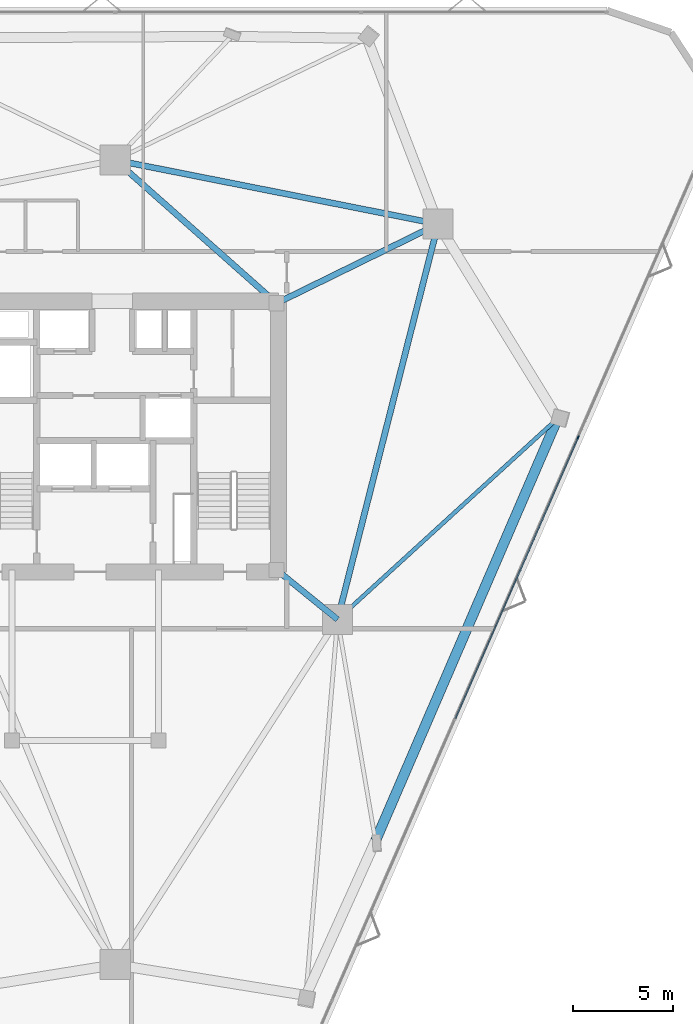
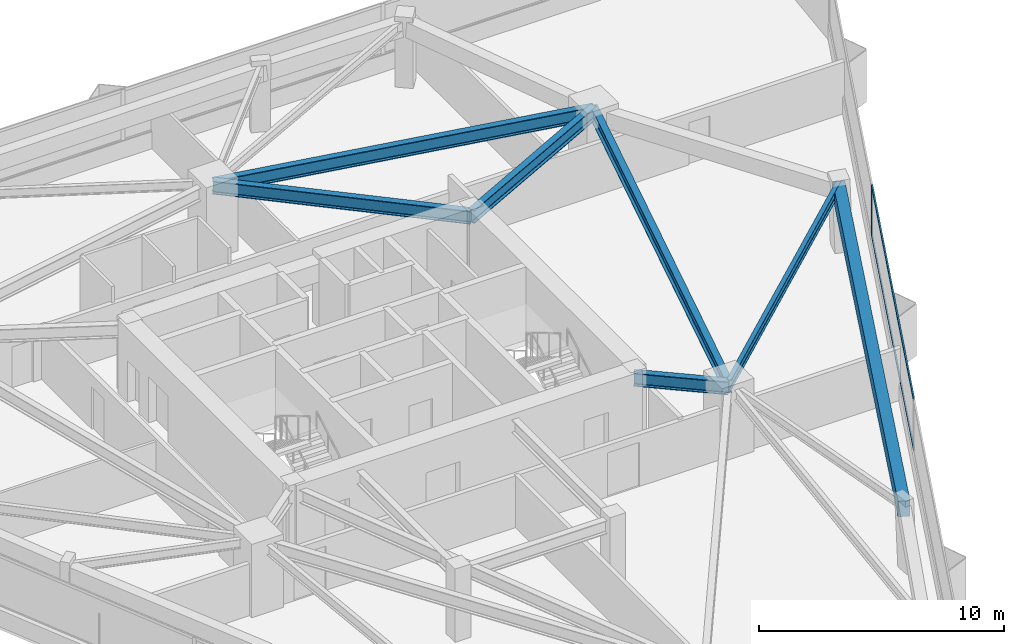
# One storey, part 6 of 14: 7 beams, 3 members, 1 element without a shape of its own.
"""IFC4 building model written with IfcOpenShell, lengths in metres."""

from ifc_helpers import new_model, si_unit, direction, frame, origin, origin_2d, place, context, subcontext, project, spatial, rectangle, i_section, extrude, material, layer, layer_set, material_profile, profile_set, type_object, element, aggregate, save


model = new_model("IFC4")

# Units and contexts
model_context = context("Model", 3, precision=1e-05, world=origin(), true_north=direction((0.0, 1.0)))
body_context = subcontext(model_context, "Body", "Model", "MODEL_VIEW")
ifc_project = project(units=[si_unit("LENGTHUNIT", "METRE"), si_unit("AREAUNIT", "SQUARE_METRE"), si_unit("VOLUMEUNIT", "CUBIC_METRE"), si_unit("PLANEANGLEUNIT", "RADIAN"), si_unit("MASSUNIT", "GRAM", prefix="KILO")], contexts=[model_context])

# Site, building, storey
site_placement = place(None, origin())
site = spatial("IfcSite", under=ifc_project, at=site_placement, CompositionType="ELEMENT")
building_placement = place(site_placement, origin())
building = spatial("IfcBuilding", under=site, at=building_placement, Name="Talyreon Biosciences Tower", CompositionType="ELEMENT")
storey_placement = place(building_placement, frame((0.0, 0.0, 130.85009765625)))
storey = spatial("IfcBuildingStorey", under=building, at=storey_placement, Name="L34", CompositionType="ELEMENT", Elevation=130.85009765625)

# Curtain wall, members
ifc_material_1 = material(Name="Thermally broken aluminium and low-E glazing", Category="aluminium")
ifc_layer = layer(ifc_material_1, 0.18505859375)
ifc_layer_set = layer_set([ifc_layer], Name="Thermally broken aluminium and low-E glazing")
curtain_wall_type = type_object("IfcCurtainWallType", Name="CurtainWall_Zone3Bioprocess", PredefinedType="NOTDEFINED", material=ifc_layer_set)
curtain_wall_placement = place(storey_placement, origin())
curtain_wall = element("IfcCurtainWall", 1, at=curtain_wall_placement, inside=storey, type_object=curtain_wall_type, Name="L34 Unitised Curtain Wall FCW-L34-08", PredefinedType="NOTDEFINED")
ifc_material_2 = material(Name="Anodised thermally broken aluminium", Category="aluminium")
ifc_material_profile_1 = material_profile(ifc_material_2, rectangle(XDim=0.06494140625, YDim=0.179931640625, at=origin_2d()), Name="ALUM MULLION 65x180")
ifc_profile_set_1 = profile_set([ifc_material_profile_1], Name="Anodised thermally broken aluminium")
member_type_1 = type_object("IfcMemberType", Name="CWMullion_65x180", PredefinedType="MULLION", material=ifc_profile_set_1)
member_1_placement = place(storey_placement, frame((89.084716796875, 67.959716796875, 0.809814453125), z_axis=(0.0, 0.0, 1.0), x_axis=(0.916489607057, -0.400058495919, 0.0)))
member_1 = element("IfcMember", 2, at=member_1_placement, type_object=member_type_1, Name="CW4 mullion 2", PredefinedType="MULLION", context=body_context, shape_type="SweptSolid", body=[
    extrude(rectangle(XDim=0.06494140625, YDim=0.179931640625, at=origin_2d()), origin(), (0.0, 0.0, 1.0), 2.565185546875),
])
ifc_material_profile_2 = material_profile(ifc_material_2, rectangle(XDim=0.06494140625, YDim=0.139892578125, at=origin_2d()), Name="ALUM TRANSOM 65x140")
ifc_profile_set_2 = profile_set([ifc_material_profile_2], Name="Anodised thermally broken aluminium")
member_type_2 = type_object("IfcMemberType", Name="CWTransom_65x140", PredefinedType="USERDEFINED", material=ifc_profile_set_2)
member_2_placement = place(storey_placement, frame((89.07177734375, 67.929931640625, 0.84228515625), z_axis=(-0.400056615307, -0.916490427964, 0.0), x_axis=(0.916490427964, -0.400056615307, 0.0)))
member_2 = element("IfcMember", 3, at=member_2_placement, type_object=member_type_2, Name="CW4 transom 2.1", ObjectType="TRANSOM", PredefinedType="USERDEFINED", context=body_context, shape_type="SweptSolid", body=[
    extrude(rectangle(XDim=0.06494140625, YDim=0.139892578125, at=origin_2d()), origin(), (0.0, 0.0, 1.0), 15.259765625),
])
member_3_placement = place(storey_placement, frame((89.07177734375, 67.929931640625, 3.34228515625), z_axis=(-0.400056615307, -0.916490427964, 0.0), x_axis=(0.916490427964, -0.400056615307, 0.0)))
member_3 = element("IfcMember", 4, at=member_3_placement, type_object=member_type_2, Name="CW4 transom 2.2", ObjectType="TRANSOM", PredefinedType="USERDEFINED", context=body_context, shape_type="SweptSolid", body=[
    extrude(rectangle(XDim=0.06494140625, YDim=0.139892578125, at=origin_2d()), origin(), (0.0, 0.0, 1.0), 15.259765625),
])
aggregate(curtain_wall, [member_1, member_2, member_3])

# Beams
ifc_material_3 = material(Name="Precast concrete C45/55", Category="concrete")
ifc_material_profile_3 = material_profile(ifc_material_3, rectangle(XDim=0.5, YDim=0.780029296875, at=origin_2d()), Name="RCB 500x780")
ifc_profile_set_3 = profile_set([ifc_material_profile_3], Name="Precast concrete C45/55")
beam_type_1 = type_object("IfcBeamType", Name="ExpressedSpandrel_500x780", PredefinedType="SPANDREL", material=ifc_profile_set_3)
beam_1_placement = place(storey_placement, frame((78.979248046875, 47.8408203125, 2.98486328125), z_axis=(0.39593858229, 0.918276994732, 0.0), x_axis=(-0.918276994732, 0.39593858229, 0.0)))
element("IfcBeam", 5, at=beam_1_placement, inside=storey, type_object=beam_type_1, Name="L34 Expressed Horizontal Concrete Spandrel 03", PredefinedType="SPANDREL", context=body_context, shape_type="SweptSolid", body=[
    extrude(rectangle(XDim=0.5, YDim=0.780029296875, at=origin_2d()), origin(), (0.0, 0.0, 1.0), 22.9423828125),
])
ifc_material_4 = material(Name="Steel SM355", Category="steel")
ifc_material_profile_4 = material_profile(ifc_material_4, i_section(OverallWidth=0.300048828125, OverallDepth=0.64990234375, WebThickness=0.01611328125, FlangeThickness=0.031005859375, FilletRadius=0.027099609375, at=origin_2d()), Name="HE650B")
ifc_profile_set_4 = profile_set([ifc_material_profile_4], Name="Steel SM355")
beam_type_2 = type_object("IfcBeamType", Name="SteelBeam_HE650B", PredefinedType="BEAM", material=ifc_profile_set_4)
beam_2_placement = place(storey_placement, frame((77.086181640625, 58.88037109375, 3.0498046875), z_axis=(0.246537082299, 0.969133358755, 0.0), x_axis=(-0.969133358755, 0.246537082299, 0.0)))
element("IfcBeam", 6, at=beam_2_placement, inside=storey, type_object=beam_type_2, Name="L34 Mega-Ring Girder 2", PredefinedType="BEAM", context=body_context, shape_type="SweptSolid", body=[
    extrude(i_section(OverallWidth=0.300048828125, OverallDepth=0.64990234375, WebThickness=0.01611328125, FlangeThickness=0.031005859375, FilletRadius=0.027099609375, at=origin_2d()), origin(), (0.0, 0.0, 1.0), 20.34619140625),
])
beam_3_placement = place(storey_placement, frame((82.102294921875, 78.5986328125, 3.0498046875), z_axis=(-0.980933730698, 0.194342522311, 0.0), x_axis=(-0.194342522311, -0.980933730698, 0.0)))
element("IfcBeam", 7, at=beam_3_placement, inside=storey, type_object=beam_type_2, Name="L34 Mega-Ring Girder 3", PredefinedType="BEAM", context=body_context, shape_type="SweptSolid", body=[
    extrude(i_section(OverallWidth=0.300048828125, OverallDepth=0.64990234375, WebThickness=0.01611328125, FlangeThickness=0.031005859375, FilletRadius=0.027099609375, at=origin_2d()), origin(), (0.0, 0.0, 1.0), 16.415283203125),
])
beam_4_placement = place(storey_placement, frame((74.050048828125, 61.35009765625, 3.0498046875), z_axis=(0.775755154013, -0.631034025249, 0.0), x_axis=(0.631034025249, 0.775755154013, 0.0)))
element("IfcBeam", 8, at=beam_4_placement, inside=storey, type_object=beam_type_2, Name="L34 Radial Primary Girder 2", PredefinedType="BEAM", context=body_context, shape_type="SweptSolid", body=[
    extrude(i_section(OverallWidth=0.300048828125, OverallDepth=0.64990234375, WebThickness=0.01611328125, FlangeThickness=0.031005859375, FilletRadius=0.027099609375, at=origin_2d()), origin(), (0.0, 0.0, 1.0), 3.913818359375),
])
beam_5_placement = place(storey_placement, frame((74.050048828125, 74.64990234375, 3.0498046875), z_axis=(0.897852360314, 0.440296648952, 0.0), x_axis=(-0.440296648952, 0.897852360314, 0.0)))
element("IfcBeam", 9, at=beam_5_placement, inside=storey, type_object=beam_type_2, Name="L34 Radial Primary Girder 3", PredefinedType="BEAM", context=body_context, shape_type="SweptSolid", body=[
    extrude(i_section(OverallWidth=0.300048828125, OverallDepth=0.64990234375, WebThickness=0.01611328125, FlangeThickness=0.031005859375, FilletRadius=0.027099609375, at=origin_2d()), origin(), (0.0, 0.0, 1.0), 8.96826171875),
])
beam_6_placement = place(storey_placement, frame((74.050048828125, 74.64990234375, 3.0498046875), z_axis=(-0.748178733955, 0.663497235908, 0.0), x_axis=(-0.663497235908, -0.748178733955, 0.0)))
element("IfcBeam", 10, at=beam_6_placement, inside=storey, type_object=beam_type_2, Name="L34 Radial Primary Girder 4", PredefinedType="BEAM", context=body_context, shape_type="SweptSolid", body=[
    extrude(i_section(OverallWidth=0.300048828125, OverallDepth=0.64990234375, WebThickness=0.01611328125, FlangeThickness=0.031005859375, FilletRadius=0.027099609375, at=origin_2d()), origin(), (0.0, 0.0, 1.0), 10.759521484375),
])
ifc_material_profile_5 = material_profile(ifc_material_4, i_section(OverallWidth=0.199951171875, OverallDepth=0.5, WebThickness=0.01025390625, FlangeThickness=0.01611328125, FilletRadius=0.02099609375, at=origin_2d()), Name="IPE500")
ifc_profile_set_5 = profile_set([ifc_material_profile_5], Name="Steel SM355")
beam_type_3 = type_object("IfcBeamType", Name="SteelJoist_IPE500", PredefinedType="JOIST", material=ifc_profile_set_5)
beam_7_placement = place(storey_placement, frame((77.086181640625, 58.88037109375, 3.125), z_axis=(0.738300248431, 0.674472195993, 0.0), x_axis=(-0.674472195993, 0.738300248431, 0.0)))
element("IfcBeam", 11, at=beam_7_placement, inside=storey, type_object=beam_type_3, Name="L34 Radial Composite Floor Joist PC-SE2", PredefinedType="JOIST", context=body_context, shape_type="SweptSolid", body=[
    extrude(i_section(OverallWidth=0.199951171875, OverallDepth=0.5, WebThickness=0.01025390625, FlangeThickness=0.01611328125, FilletRadius=0.02099609375, at=origin_2d()), origin(), (0.0, 0.0, 1.0), 14.86767578125),
])

save(model, "model.ifc")
